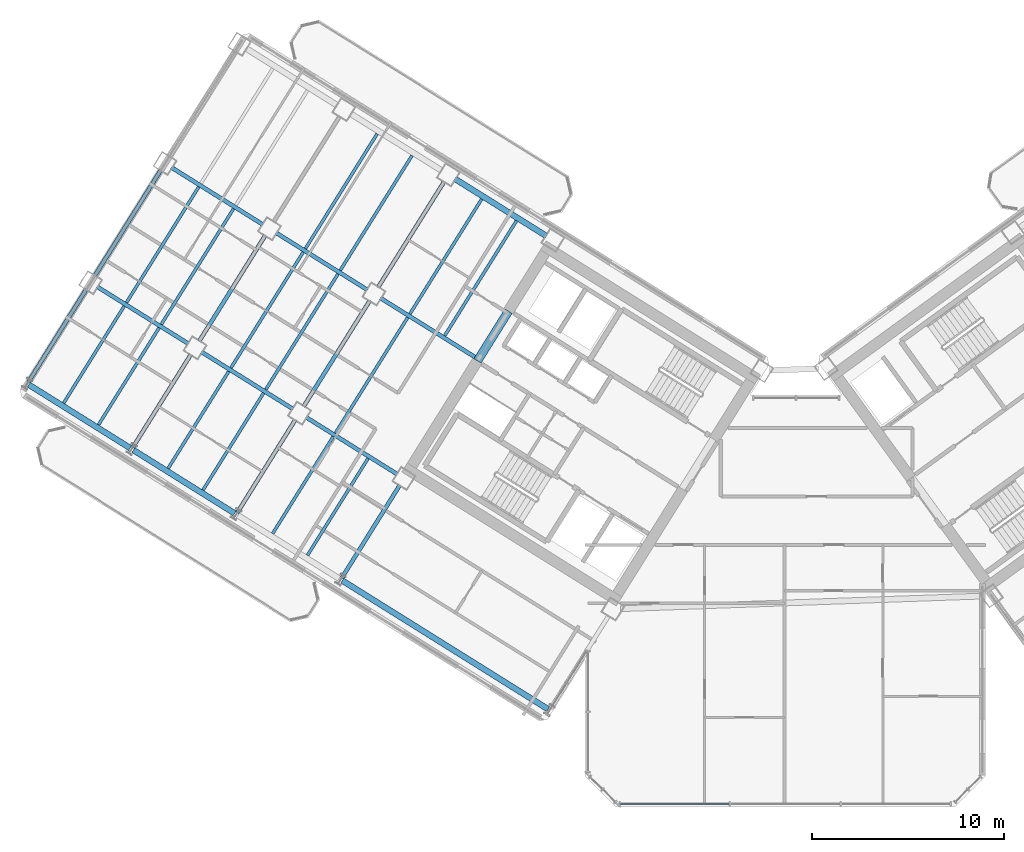
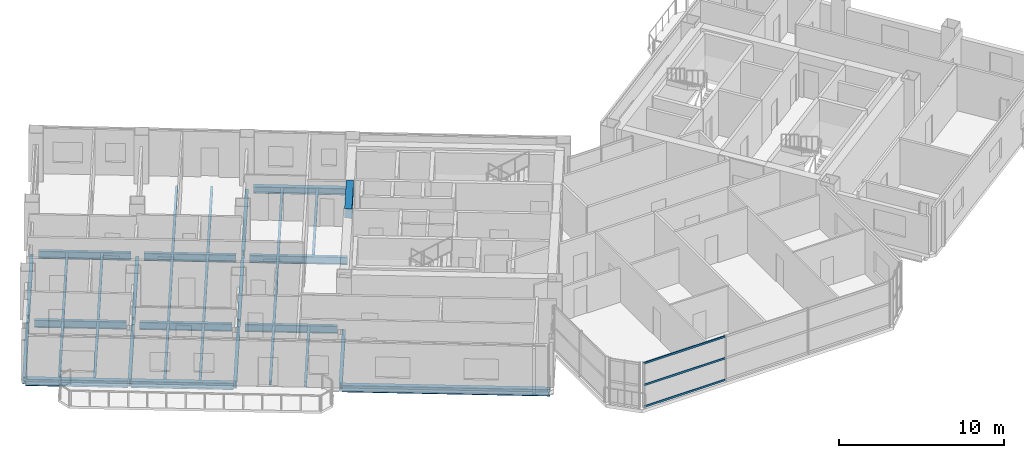
# One storey, part 7 of 29: 34 beams, 3 members, 1 element without a shape of its own.
"""IFC4 building model written with IfcOpenShell, lengths in metres."""

import ifcopenshell
import ifcopenshell.guid

model = None  # the IFC model being written
_history = None  # IfcOwnerHistory: only IFC2X3 demands one
_inside = {}  # id of a spatial element -> (the spatial element, [elements in it])
_under = {}  # id of a project, library or spatial element -> (it, [spatial elements below it])
_declared = {}  # id of a project -> (the project, [libraries it declares])
_typed = {}  # id of a type object -> (the type object, [elements of that type])
_made_of = {}  # id of a material, layer set ... -> (it, [elements and type objects made of it])


def new_model(schema):
    """Start an empty IFC model of exactly this schema.

    Asked for "IFC4X3", IfcOpenShell would pick the latest addendum, in which some entities
    have other attributes; the version numbers below select the first issue.
    IFC2X3 requires an IfcOwnerHistory on every rooted entity: one is made here for all.
    """
    global model, _history
    if schema == "IFC4X3":
        model = ifcopenshell.file(schema_version=(4, 3, 0, 0))
    else:
        model = ifcopenshell.file(schema=schema)
    _inside.clear()
    _under.clear()
    _declared.clear()
    _typed.clear()
    _made_of.clear()
    _history = None
    if model.schema == "IFC2X3":
        org = make("IfcOrganization", Name="unknown")
        user = make(
            "IfcPersonAndOrganization",
            ThePerson=make("IfcPerson", FamilyName="unknown"),
            TheOrganization=org,
        )
        app = make(
            "IfcApplication",
            ApplicationDeveloper=org,
            Version="unknown",
            ApplicationFullName="unknown",
            ApplicationIdentifier="unknown",
        )
        _history = make(
            "IfcOwnerHistory",
            OwningUser=user,
            OwningApplication=app,
            ChangeAction="ADDED",
            CreationDate=0,
        )
    return model


def make(cls, **values):
    """One entity of the class cls with the attributes given. An attribute that is None is left unset."""
    return model.create_entity(
        cls, **{name: value for name, value in values.items() if value is not None}
    )


def rooted(cls, **values):
    """An entity with a GlobalId (a new one), such as an element, a storey or a relation."""
    return make(cls, GlobalId=ifcopenshell.guid.new(), OwnerHistory=_history, **values)


def si_unit(unit_type, name, prefix=None):
    """IfcSIUnit, for example si_unit("LENGTHUNIT", "METRE", prefix="MILLI")."""
    return make("IfcSIUnit", UnitType=unit_type, Prefix=prefix, Name=name)


def assignment(units):
    """IfcUnitAssignment: the units of a project."""
    return None if units is None else make("IfcUnitAssignment", Units=units)


def point(xyz):
    """IfcCartesianPoint."""
    return None if xyz is None else make("IfcCartesianPoint", Coordinates=xyz)


def direction(xyz):
    """IfcDirection."""
    return None if xyz is None else make("IfcDirection", DirectionRatios=xyz)


def frame(location, z_axis=None, x_axis=None):
    """IfcAxis2Placement3D, a coordinate frame: its origin and axes. An axis left out is left unset."""
    return make(
        "IfcAxis2Placement3D",
        Location=point(location),
        Axis=direction(z_axis),
        RefDirection=direction(x_axis),
    )


def frame_2d(location, x_axis=None):
    """IfcAxis2Placement2D, a coordinate frame in the plane: its origin and x axis."""
    return make(
        "IfcAxis2Placement2D", Location=point(location), RefDirection=direction(x_axis)
    )


def origin():
    """The frame at (0, 0, 0) with its axes left unset."""
    return frame((0.0, 0.0, 0.0))


def origin_2d():
    """The frame at (0, 0) in the plane with its x axis left unset."""
    return frame_2d((0.0, 0.0))


def place(relative_to, where):
    """IfcLocalPlacement: puts the frame where relative to a parent placement (None: the world)."""
    return make(
        "IfcLocalPlacement", PlacementRelTo=relative_to, RelativePlacement=where
    )


def context(
    kind, dimensions, precision=None, world=None, true_north=None, identifier=None
):
    """IfcGeometricRepresentationContext, for example the 3D "Model" context."""
    return make(
        "IfcGeometricRepresentationContext",
        ContextIdentifier=identifier,
        ContextType=kind,
        CoordinateSpaceDimension=dimensions,
        Precision=precision,
        WorldCoordinateSystem=world,
        TrueNorth=true_north,
    )


def subcontext(parent, identifier, kind, view, scale=None):
    """IfcGeometricRepresentationSubContext, for example "Body" below "Model"."""
    return make(
        "IfcGeometricRepresentationSubContext",
        ContextIdentifier=identifier,
        ContextType=kind,
        ParentContext=parent,
        TargetScale=scale,
        TargetView=view,
    )


def project(units=None, contexts=None):
    """IfcProject with its units and contexts."""
    return rooted(
        "IfcProject",
        Name="project",
        RepresentationContexts=contexts,
        UnitsInContext=assignment(units),
    )


def spatial(cls, under=None, at=None, **own):
    """A site, building, storey or space (cls), placed at a placement, below another one or the project."""
    s = rooted(cls, ObjectPlacement=at, **own)
    if under is not None:
        _under.setdefault(under.id(), (under, []))[1].append(s)
    return s


def profile(cls, at=None, kind="AREA", **sizes):
    """A parametric profile (cls). Its sizes go by their IFC names, for example OverallWidth=200.0."""
    return make(cls, ProfileType=kind, Position=at, **sizes)


def rectangle(**sizes):
    """IfcRectangleProfileDef."""
    return profile("IfcRectangleProfileDef", **sizes)


def hollow_rectangle(**sizes):
    """IfcRectangleHollowProfileDef."""
    return profile("IfcRectangleHollowProfileDef", **sizes)


def i_section(**sizes):
    """IfcIShapeProfileDef."""
    return profile("IfcIShapeProfileDef", **sizes)


def extrude(swept, where, along, depth):
    """IfcExtrudedAreaSolid: the profile swept, set in the frame where, extruded along a direction by depth."""
    return make(
        "IfcExtrudedAreaSolid",
        SweptArea=swept,
        Position=where,
        ExtrudedDirection=direction(along),
        Depth=depth,
    )


def shape(context_of_items, identifier, shape_type, items):
    """IfcShapeRepresentation: the items that make up one representation, for example the "Body"."""
    return make(
        "IfcShapeRepresentation",
        ContextOfItems=context_of_items,
        RepresentationIdentifier=identifier,
        RepresentationType=shape_type,
        Items=items,
    )


def source(mapping_origin, context_of_items, identifier, shape_type, items):
    """IfcRepresentationMap: a shape defined once, which mapped items show again and again."""
    return make(
        "IfcRepresentationMap",
        MappingOrigin=mapping_origin,
        MappedRepresentation=shape(context_of_items, identifier, shape_type, items),
    )


def transform(
    local_origin,
    x_axis=None,
    y_axis=None,
    z_axis=None,
    scale=None,
    scale2=None,
    scale3=None,
    uniform=True,
):
    """IfcCartesianTransformationOperator3D, or its non-uniform kind. x_axis, y_axis, z_axis: its Axis1, 2, 3."""
    if uniform:
        return make(
            "IfcCartesianTransformationOperator3D",
            Axis1=direction(x_axis),
            Axis2=direction(y_axis),
            LocalOrigin=point(local_origin),
            Scale=scale,
            Axis3=direction(z_axis),
        )
    return make(
        "IfcCartesianTransformationOperator3DnonUniform",
        Axis1=direction(x_axis),
        Axis2=direction(y_axis),
        LocalOrigin=point(local_origin),
        Scale=scale,
        Axis3=direction(z_axis),
        Scale2=scale2,
        Scale3=scale3,
    )


def mapped(mapping_source, mapping_target):
    """IfcMappedItem: shows the shape of a source again, moved by a transform."""
    return make(
        "IfcMappedItem", MappingSource=mapping_source, MappingTarget=mapping_target
    )


def material(Name=None, Category=None):
    """IfcMaterial."""
    return make("IfcMaterial", Name=Name, Category=Category)


def material_profile(
    of_material, cross_section, Name=None, Category=None, Priority=None
):
    """IfcMaterialProfile: a cross section and its material."""
    return make(
        "IfcMaterialProfile",
        Name=Name,
        Material=of_material,
        Profile=cross_section,
        Priority=Priority,
        Category=Category,
    )


def profile_set(profiles, Name=None, composite=None):
    """IfcMaterialProfileSet."""
    return make(
        "IfcMaterialProfileSet",
        Name=Name,
        MaterialProfiles=profiles,
        CompositeProfile=composite,
    )


def made_of(thing, what):
    """Note that an element or type object is made of a material, layer set ...; save() writes the relation."""
    if what is not None:
        _made_of.setdefault(what.id(), (what, []))[1].append(thing)
    return thing


def type_object(cls, material=None, **own):
    """A type object (cls), such as IfcWallType, which elements share."""
    return made_of(rooted(cls, **own), material)


def element(
    cls,
    number,
    at=None,
    inside=None,
    cuts=None,
    type_object=None,
    material=None,
    context=None,
    identifier="Body",
    shape_type=None,
    held_by="IfcProductDefinitionShape",
    body=None,
    shapes=None,
    **own,
):
    """One element of the class cls, such as IfcWall. Its Tag is "e" and its number.

    at: its placement. inside: the storey or other place that contains it. cuts: it is an
    opening in that element (IfcRelVoidsElement). A single representation is given by context,
    identifier, shape_type and body (its items); several are given by shapes. held_by: the class
    of the entity that holds the representations. save() writes the other relations.
    """
    e = rooted(cls, Tag="e%d" % number, ObjectPlacement=at, **own)
    if body is not None:
        shapes = [shape(context, identifier, shape_type, body)]
    if shapes is not None:
        e.Representation = make(held_by, Representations=shapes)
    if inside is not None:
        _inside.setdefault(inside.id(), (inside, []))[1].append(e)
    if cuts is not None:
        rooted(
            "IfcRelVoidsElement", RelatingBuildingElement=cuts, RelatedOpeningElement=e
        )
    if type_object is not None:
        _typed.setdefault(type_object.id(), (type_object, []))[1].append(e)
    return made_of(e, material)


def aggregate(whole, parts):
    """IfcRelAggregates: a whole, such as a stair, and the parts it consists of."""
    return rooted("IfcRelAggregates", RelatingObject=whole, RelatedObjects=parts)


def save(model, path):
    """Write the relations noted so far, then the file.

    IfcRelAggregates (storeys below a building ...), IfcRelContainedInSpatialStructure (elements
    in a storey), IfcRelDefinesByType, IfcRelAssociatesMaterial and IfcRelDeclares: one each for
    every whole, place, type object, material and project.
    """
    for whole, parts in _under.values():
        aggregate(whole, parts)
    for where, things in _inside.values():
        rooted(
            "IfcRelContainedInSpatialStructure",
            RelatedElements=things,
            RelatingStructure=where,
        )
    for kind, things in _typed.values():
        rooted("IfcRelDefinesByType", RelatedObjects=things, RelatingType=kind)
    for what, things in _made_of.values():
        rooted("IfcRelAssociatesMaterial", RelatedObjects=things, RelatingMaterial=what)
    for by, libraries in _declared.values():
        rooted("IfcRelDeclares", RelatingContext=by, RelatedDefinitions=libraries)
    model.write(path)


model = new_model("IFC4")

# Units and contexts
model_context = context("Model", 3, precision=1e-05, world=origin(), true_north=direction((0.0, 1.0)))
body_context = subcontext(model_context, "Body", "Model", "MODEL_VIEW")
ifc_project = project(units=[si_unit("LENGTHUNIT", "METRE"), si_unit("AREAUNIT", "SQUARE_METRE"), si_unit("VOLUMEUNIT", "CUBIC_METRE"), si_unit("PLANEANGLEUNIT", "RADIAN"), si_unit("MASSUNIT", "GRAM", prefix="KILO")], contexts=[model_context])

# Site, building, storey
site_placement = place(None, origin())
site = spatial("IfcSite", under=ifc_project, at=site_placement, CompositionType="ELEMENT")
building_placement = place(site_placement, origin())
building = spatial("IfcBuilding", under=site, at=building_placement, Name="Tlacorven Tower", CompositionType="ELEMENT")
storey_placement = place(building_placement, frame((0.0, 0.0, 158.699951171875)))
storey = spatial("IfcBuildingStorey", under=building, at=storey_placement, Name="L40", CompositionType="ELEMENT", Elevation=158.699951171875)

# Beams
ifc_material_1 = material(Name="Concrete C60/75", Category="concrete")
ifc_material_profile_1 = material_profile(ifc_material_1, rectangle(XDim=0.449951171875, YDim=0.699951171875, at=origin_2d()), Name="RC 450X700")
ifc_profile_set_1 = profile_set([ifc_material_profile_1], Name="Concrete C60/75")
beam_type_1 = type_object("IfcBeamType", Name="BM-LNT-700", PredefinedType="LINTEL", material=ifc_profile_set_1)
shared_shape_1 = source(origin(), body_context, "Body", "SweptSolid", [
    extrude(rectangle(XDim=0.449951171875, YDim=0.699951171875, at=origin_2d()), origin(), (0.0, 0.0, 1.0), 3.0498046875),
])
beam_1_placement = place(storey_placement, frame((27.622802734375, 27.562255859375, 3.0), z_axis=(-0.529926983584, -0.848043272522, 0.0), x_axis=(0.848043272522, -0.529926983584, 0.0)))
element("IfcBeam", 1, at=beam_1_placement, inside=storey, type_object=beam_type_1, Name="L40 W core coupling lintel beam E2", PredefinedType="LINTEL", context=body_context, shape_type="MappedRepresentation", body=[
    mapped(shared_shape_1, transform((0.0, 0.0, 0.0), scale=1.0)),
])
ifc_material_2 = material(Name="Steel S355J2", Category="steel")
ifc_material_profile_2 = material_profile(ifc_material_2, i_section(OverallWidth=0.300048828125, OverallDepth=0.489990234375, WebThickness=0.011962890625, FlangeThickness=0.02294921875, at=origin_2d()), Name="HEA 500")
ifc_profile_set_2 = profile_set([ifc_material_profile_2], Name="Steel S355J2")
beam_type_2 = type_object("IfcBeamType", Name="BM-SPN-500", PredefinedType="SPANDREL", material=ifc_profile_set_2)
shared_shape_2 = source(origin(), body_context, "Body", "SweptSolid", [
    extrude(i_section(OverallWidth=0.300048828125, OverallDepth=0.489990234375, WebThickness=0.011962890625, FlangeThickness=0.02294921875, at=origin_2d()), origin(), (0.0, 0.0, 1.0), 12.599853515625),
])
beam_2_placement = place(storey_placement, frame((29.67578125, 6.882080078125, -0.494873046875), z_axis=(-0.848045108756, 0.529924045043, 0.0), x_axis=(-0.529924045043, -0.848045108756, 0.0)))
element("IfcBeam", 2, at=beam_2_placement, inside=storey, type_object=beam_type_2, Name="L40 beam BM-L40-WL4-1", PredefinedType="SPANDREL", context=body_context, shape_type="MappedRepresentation", body=[
    mapped(shared_shape_2, transform((0.0, 0.0, 0.0), scale=1.0)),
])
shared_shape_3 = source(origin(), body_context, "Body", "SweptSolid", [
    extrude(i_section(OverallWidth=0.300048828125, OverallDepth=0.489990234375, WebThickness=0.011962890625, FlangeThickness=0.02294921875, at=origin_2d()), origin(), (0.0, 0.0, 1.0), 6.199951171875),
])
for number, where, z_axis, x_axis, name in (
    (3, (13.393310546875, 17.056396484375, -0.494873046875), (-0.848033697614, 0.529942306022, 0.0), (-0.529942306022, -0.848033697614, 0.0), "L40 beam BM-L40-WL4-4"),
    (4, (7.9658203125, 20.447998046875, -0.494873046875), (-0.848051394107, 0.529913986372, 0.0), (-0.529913986372, -0.848051394107, 0.0), "L40 beam BM-L40-WL4-5"),
):
    element("IfcBeam", number, at=place(storey_placement, frame(where, z_axis=z_axis, x_axis=x_axis)), inside=storey, type_object=beam_type_2, Name=name, PredefinedType="SPANDREL", context=body_context, shape_type="MappedRepresentation", body=[
        mapped(shared_shape_3, transform((0.0, 0.0, 0.0), scale=1.0)),
    ])
ifc_material_profile_3 = material_profile(ifc_material_2, i_section(OverallWidth=0.2099609375, OverallDepth=0.550048828125, WebThickness=0.010986328125, FlangeThickness=0.01708984375, at=origin_2d()), Name="IPE 550")
ifc_profile_set_3 = profile_set([ifc_material_profile_3], Name="Steel S355J2")
beam_type_3 = type_object("IfcBeamType", Name="BM-TWR-550", PredefinedType="BEAM", material=ifc_profile_set_3)
shared_shape_4 = source(origin(), body_context, "Body", "SweptSolid", [
    extrude(i_section(OverallWidth=0.2099609375, OverallDepth=0.550048828125, WebThickness=0.010986328125, FlangeThickness=0.01708984375, at=origin_2d()), origin(), (0.0, 0.0, 1.0), 5.599853515625),
])
for number, where, z_axis, x_axis, name in (
    (5, (20.292724609375, 28.6640625, -0.52490234375), (-0.848047285686, 0.529920561254, 0.0), (-0.529920561254, -0.848047285686, 0.0), "L40 beam BM-L40-WL2-4"),
    (6, (21.851806640625, 19.081787109375, -0.52490234375), (-0.848047285686, 0.529920561254, 0.0), (-0.529920561254, -0.848047285686, 0.0), "L40 beam BM-L40-WL3-3"),
    (7, (16.42431640625, 22.473388671875, -0.52490234375), (-0.848047285686, 0.529920561254, 0.0), (-0.529920561254, -0.848047285686, 0.0), "L40 beam BM-L40-WL3-4"),
    (8, (10.996826171875, 25.86474609375, -0.52490234375), (-0.848047285686, 0.529920561254, 0.0), (-0.529920561254, -0.848047285686, 0.0), "L40 beam BM-L40-WL3-5"),
):
    element("IfcBeam", number, at=place(storey_placement, frame(where, z_axis=z_axis, x_axis=x_axis)), inside=storey, type_object=beam_type_3, Name=name, PredefinedType="BEAM", context=body_context, shape_type="MappedRepresentation", body=[
        mapped(shared_shape_4, transform((0.0, 0.0, 0.0), scale=1.0)),
    ])
shared_shape_5 = source(origin(), body_context, "Body", "SweptSolid", [
    extrude(i_section(OverallWidth=0.2099609375, OverallDepth=0.550048828125, WebThickness=0.010986328125, FlangeThickness=0.01708984375, at=origin_2d()), origin(), (0.0, 0.0, 1.0), 5.960205078125),
])
beam_3_placement = place(storey_placement, frame((26.025634765625, 25.081787109375, -0.52490234375), z_axis=(-0.848042024898, 0.529928980153, 0.0), x_axis=(-0.529928980153, -0.848042024898, 0.0)))
element("IfcBeam", 9, at=beam_3_placement, inside=storey, type_object=beam_type_3, Name="L40 beam BM-L40-WL2-3", PredefinedType="BEAM", context=body_context, shape_type="MappedRepresentation", body=[
    mapped(shared_shape_5, transform((0.0, 0.0, 0.0), scale=1.0)),
])
shared_shape_6 = source(origin(), body_context, "Body", "SweptSolid", [
    extrude(i_section(OverallWidth=0.2099609375, OverallDepth=0.550048828125, WebThickness=0.010986328125, FlangeThickness=0.01708984375, at=origin_2d()), origin(), (0.0, 0.0, 1.0), 5.60009765625),
])
beam_4_placement = place(storey_placement, frame((14.865234375, 32.055419921875, -0.52490234375), z_axis=(-0.848027693204, 0.529951914384, 0.0), x_axis=(-0.529951914384, -0.848027693204, 0.0)))
element("IfcBeam", 10, at=beam_4_placement, inside=storey, type_object=beam_type_3, Name="L40 beam BM-L40-WL2-5", PredefinedType="BEAM", context=body_context, shape_type="MappedRepresentation", body=[
    mapped(shared_shape_6, transform((0.0, 0.0, 0.0), scale=1.0)),
])
shared_shape_7 = source(origin(), body_context, "Body", "SweptSolid", [
    extrude(i_section(OverallWidth=0.300048828125, OverallDepth=0.489990234375, WebThickness=0.011962890625, FlangeThickness=0.02294921875, at=origin_2d()), origin(), (0.0, 0.0, 1.0), 5.599853515625),
])
beam_5_placement = place(storey_placement, frame((29.588623046875, 31.46337890625, -0.494873046875), z_axis=(-0.848047285686, 0.529920561254, 0.0), x_axis=(-0.529920561254, -0.848047285686, 0.0)))
element("IfcBeam", 11, at=beam_5_placement, inside=storey, type_object=beam_type_2, Name="L40 beam BM-L40-WL1-3", PredefinedType="SPANDREL", context=body_context, shape_type="MappedRepresentation", body=[
    mapped(shared_shape_7, transform((0.0, 0.0, 0.0), scale=1.0)),
])
shared_shape_8 = source(origin(), body_context, "Body", "SweptSolid", [
    extrude(i_section(OverallWidth=0.2099609375, OverallDepth=0.550048828125, WebThickness=0.010986328125, FlangeThickness=0.01708984375, at=origin_2d()), origin(), (0.0, 0.0, 1.0), 5.7001953125),
])
for number, where, z_axis, x_axis, name in (
    (12, (16.5517578125, 21.922119140625, -0.52490234375), (-0.529937340199, -0.848036800771, 0.0), (0.848036800771, -0.529937340199, 0.0), "L40 beam BM-L40-WT4-3"),
    (13, (11.1240234375, 25.313720703125, -0.52490234375), (-0.529906537151, -0.848056048787, 0.0), (0.848056048787, -0.529906537151, 0.0), "L40 beam BM-L40-WT5-3"),
    (14, (5.696533203125, 28.705078125, -0.52490234375), (-0.529906537151, -0.848056048787, 0.0), (0.848056048787, -0.529906537151, 0.0), "L40 beam BM-L40-WT6-3"),
):
    element("IfcBeam", number, at=place(storey_placement, frame(where, z_axis=z_axis, x_axis=x_axis)), inside=storey, type_object=beam_type_3, Name=name, PredefinedType="BEAM", context=body_context, shape_type="MappedRepresentation", body=[
        mapped(shared_shape_8, transform((0.0, 0.0, 0.0), scale=1.0)),
    ])
shared_shape_9 = source(origin(), body_context, "Body", "SweptSolid", [
    extrude(i_section(OverallWidth=0.2099609375, OverallDepth=0.550048828125, WebThickness=0.010986328125, FlangeThickness=0.01708984375, at=origin_2d()), origin(), (0.0, 0.0, 1.0), 5.699951171875),
])
beam_6_placement = place(storey_placement, frame((21.979248046875, 18.530517578125, -0.52490234375), z_axis=(-0.5299565889, -0.848024771974, 0.0), x_axis=(0.848024771974, -0.5299565889, 0.0)))
element("IfcBeam", 15, at=beam_6_placement, inside=storey, type_object=beam_type_3, Name="L40 beam BM-L40-WT3-2", PredefinedType="BEAM", context=body_context, shape_type="MappedRepresentation", body=[
    mapped(shared_shape_9, transform((0.0, 0.0, 0.0), scale=1.0)),
])
shared_shape_10 = source(origin(), body_context, "Body", "SweptSolid", [
    extrude(i_section(OverallWidth=0.2099609375, OverallDepth=0.550048828125, WebThickness=0.010986328125, FlangeThickness=0.01708984375, at=origin_2d()), origin(), (0.0, 0.0, 1.0), 6.500244140625),
])
beam_7_placement = place(storey_placement, frame((24.28857421875, 34.3037109375, -0.52490234375), z_axis=(-0.529921287515, -0.848046831866, 0.0), x_axis=(0.848046831866, -0.529921287515, 0.0)))
element("IfcBeam", 16, at=beam_7_placement, inside=storey, type_object=beam_type_3, Name="L40 beam BM-L40-WT4-1", PredefinedType="BEAM", context=body_context, shape_type="MappedRepresentation", body=[
    mapped(shared_shape_10, transform((0.0, 0.0, 0.0), scale=1.0)),
])
shared_shape_11 = source(origin(), body_context, "Body", "SweptSolid", [
    extrude(i_section(OverallWidth=0.2099609375, OverallDepth=0.550048828125, WebThickness=0.010986328125, FlangeThickness=0.01708984375, at=origin_2d()), origin(), (0.0, 0.0, 1.0), 6.5),
])
for number, where, z_axis, x_axis, name in (
    (17, (20.420166015625, 28.11279296875, -0.52490234375), (-0.529938166933, -0.848036284146, 0.0), (0.848036284146, -0.529938166933, 0.0), "L40 beam BM-L40-WT4-2"),
    (18, (14.992431640625, 31.50439453125, -0.52490234375), (-0.529894274829, -0.848063710757, 0.0), (0.848063710757, -0.529894274829, 0.0), "L40 beam BM-L40-WT5-2"),
):
    element("IfcBeam", number, at=place(storey_placement, frame(where, z_axis=z_axis, x_axis=x_axis)), inside=storey, type_object=beam_type_3, Name=name, PredefinedType="BEAM", context=body_context, shape_type="MappedRepresentation", body=[
        mapped(shared_shape_11, transform((0.0, 0.0, 0.0), scale=1.0)),
    ])
shared_shape_12 = source(origin(), body_context, "Body", "SweptSolid", [
    extrude(i_section(OverallWidth=0.2099609375, OverallDepth=0.550048828125, WebThickness=0.010986328125, FlangeThickness=0.01708984375, at=origin_2d()), origin(), (0.0, 0.0, 1.0), 6.499755859375),
])
beam_8_placement = place(storey_placement, frame((9.56494140625, 34.895751953125, -0.52490234375), z_axis=(-0.529911154058, -0.848053163902, 0.0), x_axis=(0.848053163902, -0.529911154058, 0.0)))
element("IfcBeam", 19, at=beam_8_placement, inside=storey, type_object=beam_type_3, Name="L40 beam BM-L40-WT6-2", PredefinedType="BEAM", context=body_context, shape_type="MappedRepresentation", body=[
    mapped(shared_shape_12, transform((0.0, 0.0, 0.0), scale=1.0)),
])
ifc_material_profile_4 = material_profile(ifc_material_2, i_section(OverallWidth=0.159912109375, OverallDepth=0.330078125, WebThickness=0.007568359375, FlangeThickness=0.011474609375, at=origin_2d()), Name="IPE 330")
ifc_profile_set_4 = profile_set([ifc_material_profile_4], Name="Steel S355J2")
beam_type_4 = type_object("IfcBeamType", Name="BM-JST-330", PredefinedType="JOIST", material=ifc_profile_set_4)
shared_shape_13 = source(origin(), body_context, "Body", "SweptSolid", [
    extrude(i_section(OverallWidth=0.159912109375, OverallDepth=0.330078125, WebThickness=0.007568359375, FlangeThickness=0.011474609375, at=origin_2d()), origin(), (0.0, 0.0, 1.0), 5.93505859375),
])
for number, where, z_axis, x_axis, name in (
    (20, (20.32373046875, 19.906982421875, -0.4150390625), (-0.529910194899, -0.848053763238, 0.0), (0.848053763238, -0.529910194899, 0.0), "L40 beam BM-L40-WJ3-3-1"),
    (21, (18.514404296875, 21.03759765625, -0.4150390625), (-0.529910194899, -0.848053763238, 0.0), (0.848053763238, -0.529910194899, 0.0), "L40 beam BM-L40-WJ3-3-2"),
    (22, (14.896240234375, 23.298583984375, -0.4150390625), (-0.529910194899, -0.848053763238, 0.0), (0.848053763238, -0.529910194899, 0.0), "L40 beam BM-L40-WJ4-3-1"),
    (23, (9.46875, 26.68994140625, -0.4150390625), (-0.529939778535, -0.848035277053, 0.0), (0.848035277053, -0.529939778535, 0.0), "L40 beam BM-L40-WJ5-3-1"),
    (24, (7.659423828125, 27.820556640625, -0.4150390625), (-0.529910194899, -0.848053763238, 0.0), (0.848053763238, -0.529910194899, 0.0), "L40 beam BM-L40-WJ5-3-2"),
):
    element("IfcBeam", number, at=place(storey_placement, frame(where, z_axis=z_axis, x_axis=x_axis)), inside=storey, type_object=beam_type_4, Name=name, PredefinedType="JOIST", context=body_context, shape_type="MappedRepresentation", body=[
        mapped(shared_shape_13, transform((0.0, 0.0, 0.0), scale=1.0)),
    ])
shared_shape_14 = source(origin(), body_context, "Body", "SweptSolid", [
    extrude(i_section(OverallWidth=0.159912109375, OverallDepth=0.330078125, WebThickness=0.007568359375, FlangeThickness=0.011474609375, at=origin_2d()), origin(), (0.0, 0.0, 1.0), 7.080078125),
])
beam_9_placement = place(storey_placement, frame((18.7646484375, 29.4892578125, -0.4150390625), z_axis=(-0.529933847046, -0.848038983629, 0.0), x_axis=(0.848038983629, -0.529933847046, 0.0)))
element("IfcBeam", 25, at=beam_9_placement, inside=storey, type_object=beam_type_4, Name="L40 beam BM-L40-WJ4-2-1", PredefinedType="JOIST", context=body_context, shape_type="MappedRepresentation", body=[
    mapped(shared_shape_14, transform((0.0, 0.0, 0.0), scale=1.0)),
])
shared_shape_15 = source(origin(), body_context, "Body", "SweptSolid", [
    extrude(i_section(OverallWidth=0.159912109375, OverallDepth=0.330078125, WebThickness=0.007568359375, FlangeThickness=0.011474609375, at=origin_2d()), origin(), (0.0, 0.0, 1.0), 7.03515625),
])
for number, where, z_axis, x_axis, name in (
    (26, (28.03662109375, 32.25048828125, -0.4150390625), (-0.529920952588, -0.848047041153, 0.0), (0.848047041153, -0.529920952588, 0.0), "L40 beam BM-L40-WJ3-1-1"),
    (27, (26.2275390625, 33.380859375, -0.4150390625), (-0.529920952588, -0.848047041153, 0.0), (0.848047041153, -0.529920952588, 0.0), "L40 beam BM-L40-WJ3-1-2"),
    (28, (22.609130859375, 35.641845703125, -0.4150390625), (-0.529920952588, -0.848047041153, 0.0), (0.848047041153, -0.529920952588, 0.0), "L40 beam BM-L40-WJ4-1-1"),
    (29, (20.800048828125, 36.7724609375, -0.4150390625), (-0.529920952588, -0.848047041153, 0.0), (0.848047041153, -0.529920952588, 0.0), "L40 beam BM-L40-WJ4-1-2"),
):
    element("IfcBeam", number, at=place(storey_placement, frame(where, z_axis=z_axis, x_axis=x_axis)), inside=storey, type_object=beam_type_4, Name=name, PredefinedType="JOIST", context=body_context, shape_type="MappedRepresentation", body=[
        mapped(shared_shape_15, transform((0.0, 0.0, 0.0), scale=1.0)),
    ])
shared_shape_16 = source(origin(), body_context, "Body", "SweptSolid", [
    extrude(i_section(OverallWidth=0.159912109375, OverallDepth=0.330078125, WebThickness=0.007568359375, FlangeThickness=0.011474609375, at=origin_2d()), origin(), (0.0, 0.0, 1.0), 5.934814453125),
])
beam_10_placement = place(storey_placement, frame((13.0869140625, 24.428955078125, -0.4150390625), z_axis=(-0.52992868149, -0.848042211529, 0.0), x_axis=(0.848042211529, -0.52992868149, 0.0)))
element("IfcBeam", 30, at=beam_10_placement, inside=storey, type_object=beam_type_4, Name="L40 beam BM-L40-WJ4-3-2", PredefinedType="JOIST", context=body_context, shape_type="MappedRepresentation", body=[
    mapped(shared_shape_16, transform((0.0, 0.0, 0.0), scale=1.0)),
])
shared_shape_17 = source(origin(), body_context, "Body", "SweptSolid", [
    extrude(i_section(OverallWidth=0.159912109375, OverallDepth=0.330078125, WebThickness=0.007568359375, FlangeThickness=0.011474609375, at=origin_2d()), origin(), (0.0, 0.0, 1.0), 7.079833984375),
])
for number, where, z_axis, x_axis, name in (
    (31, (22.3828125, 27.228271484375, -0.4150390625), (-0.529909047265, -0.848054480341, 0.0), (0.848054480341, -0.529909047265, 0.0), "L40 beam BM-L40-WJ3-2-2"),
    (32, (16.955322265625, 30.619873046875, -0.4150390625), (-0.529909047265, -0.848054480341, 0.0), (0.848054480341, -0.529909047265, 0.0), "L40 beam BM-L40-WJ4-2-2"),
    (33, (11.52783203125, 34.01123046875, -0.4150390625), (-0.529909047265, -0.848054480341, 0.0), (0.848054480341, -0.529909047265, 0.0), "L40 beam BM-L40-WJ5-2-2"),
):
    element("IfcBeam", number, at=place(storey_placement, frame(where, z_axis=z_axis, x_axis=x_axis)), inside=storey, type_object=beam_type_4, Name=name, PredefinedType="JOIST", context=body_context, shape_type="MappedRepresentation", body=[
        mapped(shared_shape_17, transform((0.0, 0.0, 0.0), scale=1.0)),
    ])
shared_shape_18 = source(origin(), body_context, "Body", "SweptSolid", [
    extrude(i_section(OverallWidth=0.159912109375, OverallDepth=0.330078125, WebThickness=0.007568359375, FlangeThickness=0.011474609375, at=origin_2d()), origin(), (0.0, 0.0, 1.0), 7.080322265625),
])
beam_11_placement = place(storey_placement, frame((13.337158203125, 32.880859375, -0.4150390625), z_axis=(-0.52991835062, -0.848048667045, 0.0), x_axis=(0.848048667045, -0.52991835062, 0.0)))
element("IfcBeam", 34, at=beam_11_placement, inside=storey, type_object=beam_type_4, Name="L40 beam BM-L40-WJ5-2-1", PredefinedType="JOIST", context=body_context, shape_type="MappedRepresentation", body=[
    mapped(shared_shape_18, transform((0.0, 0.0, 0.0), scale=1.0)),
])

# Curtain wall, members
ifc_material_3 = material(Name="Dark solar low-E double glazing in aluminium frame", Category="aluminium")
curtain_wall_type = type_object("IfcCurtainWallType", Name="CW-TWR-MID", PredefinedType="USERDEFINED", material=ifc_material_3)
curtain_wall_placement = place(storey_placement, origin())
curtain_wall = element("IfcCurtainWall", 35, at=curtain_wall_placement, inside=storey, type_object=curtain_wall_type, Name="L40 CW-TWR-MID Curtain Wall 179", ObjectType="UNITISED CURTAIN WALL", PredefinedType="USERDEFINED")
ifc_material_4 = material(Name="Aluminium 6063-T6 anodised", Category="aluminium")
ifc_material_profile_5 = material_profile(ifc_material_4, hollow_rectangle(XDim=0.06005859375, YDim=0.139892578125, WallThickness=0.00390625, at=origin_2d()), Name="ALU TRANSOM 60X140")
ifc_profile_set_5 = profile_set([ifc_material_profile_5], Name="Aluminium 6063-T6 anodised")
member_type = type_object("IfcMemberType", Name="CWT-02", PredefinedType="USERDEFINED", material=ifc_profile_set_5)
shared_shape_19 = source(origin(), body_context, "Body", "SweptSolid", [
    extrude(hollow_rectangle(XDim=0.06005859375, YDim=0.139892578125, WallThickness=0.00390625, at=origin_2d()), origin(), (0.0, 0.0, 1.0), 5.682373046875),
])
member_1_placement = place(storey_placement, frame((39.1015625, 1.9599609375, 0.070068359375), z_axis=(-1.0, 0.0, 0.0), x_axis=(0.0, -1.0, 0.0)))
member_1 = element("IfcMember", 36, at=member_1_placement, type_object=member_type, Name="CW-L40-179 Transom 7", ObjectType="TRANSOM", PredefinedType="USERDEFINED", context=body_context, shape_type="MappedRepresentation", body=[
    mapped(shared_shape_19, transform((0.0, 0.0, 0.0), scale=1.0)),
])
member_2_placement = place(storey_placement, frame((39.1015625, 1.9599609375, 1.675048828125), z_axis=(-1.0, 0.0, 0.0), x_axis=(0.0, -1.0, 0.0)))
member_2 = element("IfcMember", 37, at=member_2_placement, type_object=member_type, Name="CW-L40-179 Transom 8", ObjectType="TRANSOM", PredefinedType="USERDEFINED", context=body_context, shape_type="MappedRepresentation", body=[
    mapped(shared_shape_19, transform((0.0, 0.0, 0.0), scale=1.0)),
])
member_3_placement = place(storey_placement, frame((39.1015625, 1.9599609375, 3.280029296875), z_axis=(-1.0, 0.0, 0.0), x_axis=(0.0, -1.0, 0.0)))
member_3 = element("IfcMember", 38, at=member_3_placement, type_object=member_type, Name="CW-L40-179 Transom 9", ObjectType="TRANSOM", PredefinedType="USERDEFINED", context=body_context, shape_type="MappedRepresentation", body=[
    mapped(shared_shape_19, transform((0.0, 0.0, 0.0), scale=1.0)),
])
aggregate(curtain_wall, [member_1, member_2, member_3])

save(model, "model.ifc")
